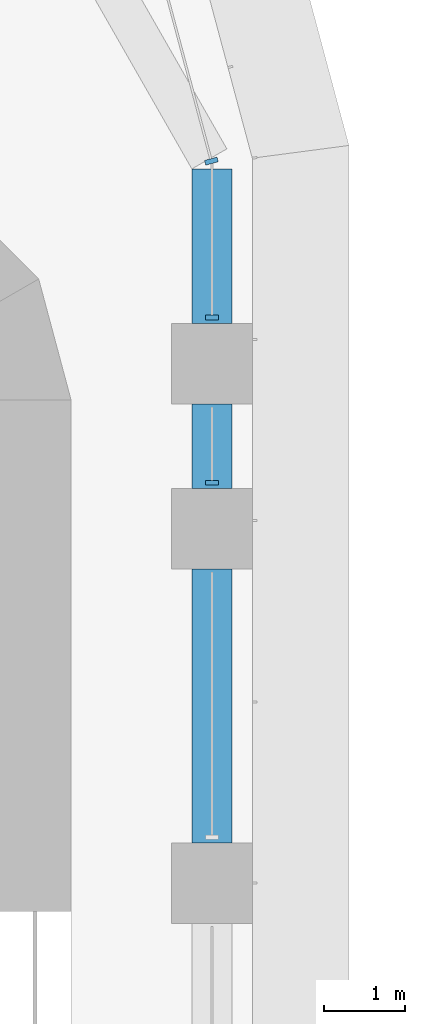
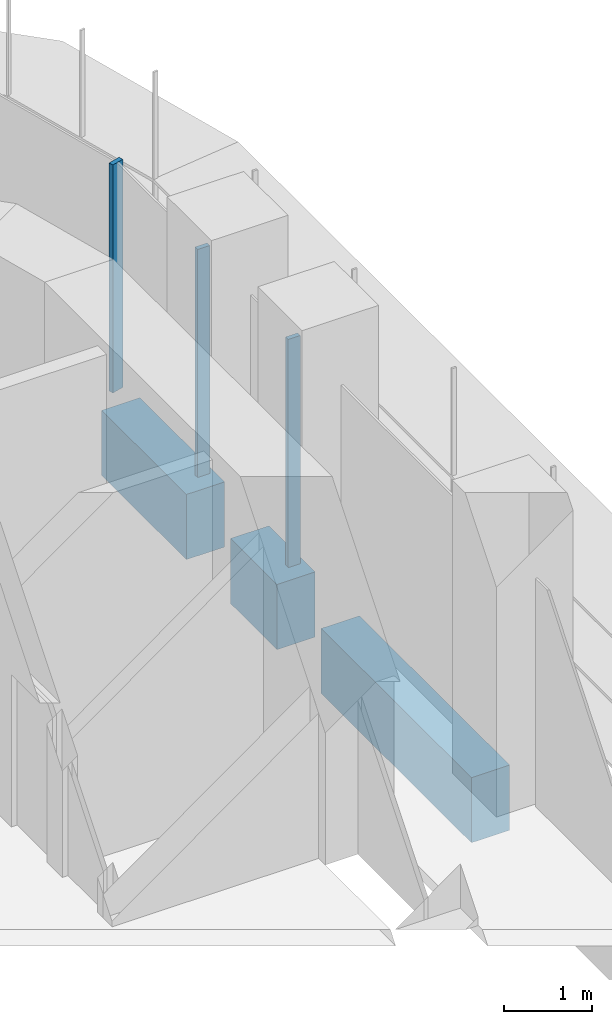
# One storey, part 10 of 23: 3 beams, 3 members, 2 elements without a shape of their own.
"""IFC4 building model written with IfcOpenShell, lengths in metres."""

from ifc_helpers import new_model, si_unit, direction, frame, origin, origin_2d, place, context, subcontext, project, spatial, polyline, rectangle, outline, extrude, source, transform, mapped, material, material_profile, profile_set, type_object, element, aggregate, save


model = new_model("IFC4")

# Units and contexts
model_context = context("Model", 3, precision=1e-05, world=origin(), true_north=direction((0.0, 1.0)))
body_context = subcontext(model_context, "Body", "Model", "MODEL_VIEW")
ifc_project = project(units=[si_unit("LENGTHUNIT", "METRE"), si_unit("AREAUNIT", "SQUARE_METRE"), si_unit("VOLUMEUNIT", "CUBIC_METRE"), si_unit("PLANEANGLEUNIT", "RADIAN"), si_unit("MASSUNIT", "GRAM", prefix="KILO")], contexts=[model_context])

# Site, building, storey
site_placement = place(None, origin())
site = spatial("IfcSite", under=ifc_project, at=site_placement, CompositionType="ELEMENT")
building_placement = place(site_placement, origin())
building = spatial("IfcBuilding", under=site, at=building_placement, Name="Zarbagh Exchange Tower", CompositionType="ELEMENT")
storey_placement = place(building_placement, frame((0.0, 0.0, 69.0)))
storey = spatial("IfcBuildingStorey", under=building, at=storey_placement, Name="L15", CompositionType="ELEMENT", Elevation=69.0)

# Beams
ifc_material_1 = material(Name="Concrete C60/75", Category="concrete")
ifc_material_profile = material_profile(ifc_material_1, rectangle(XDim=0.5, YDim=0.89990234375, at=origin_2d()), Name="RC spandrel beam 500 x 900 C60/75")
ifc_profile_set = profile_set([ifc_material_profile], Name="Concrete C60/75")
beam_type = type_object("IfcBeamType", Name="RC spandrel beam 500 x 900 C60/75", PredefinedType="SPANDREL", material=ifc_profile_set)
beam_1_placement = place(storey_placement, frame((6.25, 29.117919921875, -0.60009765625), z_axis=(0.0, -1.0, 0.0), x_axis=(1.0, 0.0, 0.0)))
element("IfcBeam", 1, at=beam_1_placement, inside=storey, type_object=beam_type, Name="RC spandrel beam", PredefinedType="SPANDREL", context=body_context, shape_type="SweptSolid", body=[
    extrude(rectangle(XDim=0.5, YDim=0.89990234375, at=origin_2d()), origin(), (0.0, 0.0, 1.0), 1.91796875),
])
beam_2_placement = place(storey_placement, frame((6.25, 26.199951171875, -0.60009765625), z_axis=(0.0, -1.0, 0.0), x_axis=(1.0, 0.0, 0.0)))
element("IfcBeam", 2, at=beam_2_placement, inside=storey, type_object=beam_type, Name="RC spandrel beam", PredefinedType="SPANDREL", context=body_context, shape_type="SweptSolid", body=[
    extrude(rectangle(XDim=0.5, YDim=0.89990234375, at=origin_2d()), origin(), (0.0, 0.0, 1.0), 1.050048828125),
])
beam_3_placement = place(storey_placement, frame((6.25, 24.14990234375, -0.60009765625), z_axis=(0.0, -1.0, 0.0), x_axis=(1.0, 0.0, 0.0)))
element("IfcBeam", 3, at=beam_3_placement, inside=storey, type_object=beam_type, Name="RC spandrel beam", PredefinedType="SPANDREL", context=body_context, shape_type="SweptSolid", body=[
    extrude(rectangle(XDim=0.5, YDim=0.89990234375, at=origin_2d()), origin(), (0.0, 0.0, 1.0), 3.39990234375),
])

# Curtain wall, members
ifc_material_2 = material(Name="Anodised aluminium frame and glazing", Category="aluminium")
curtain_wall_type = type_object("IfcCurtainWallType", Name="CWA Ribbon glazing, lower zones", PredefinedType="NOTDEFINED", material=ifc_material_2)
curtain_wall_1_placement = place(storey_placement, origin())
curtain_wall_1 = element("IfcCurtainWall", 4, at=curtain_wall_1_placement, inside=storey, type_object=curtain_wall_type, Name="CWA20 curtain wall", PredefinedType="NOTDEFINED")
ifc_material_3 = material(Name="Anodised aluminium frame", Category="aluminium")
member_type = type_object("IfcMemberType", Name="MUA Mullion, anodised aluminium frame", PredefinedType="MULLION", material=ifc_material_3)
shared_shape = source(origin(), body_context, "Body", "SweptSolid", [
    extrude(outline(polyline([(0.0, -0.080078125), (0.06005859375, -0.080078125), (0.06005859375, 0.080078125), (0.0, 0.080078125), (0.0, -0.080078125)])), origin(), (0.0, 0.0, 1.0), 3.14990234375),
])
placement = place(storey_placement, origin())
member_1 = element("IfcMember", 5, at=placement, type_object=member_type, Name="CWA20 mullion 4.1", PredefinedType="MULLION", context=body_context, shape_type="MappedRepresentation", body=[
    mapped(shared_shape, transform((6.25, 25.18994140625, 0.0), x_axis=(0.0, 1.0, 0.0), y_axis=(-1.0, 0.0, 0.0), z_axis=(0.0, 0.0, 1.0))),
])
member_2 = element("IfcMember", 6, at=placement, type_object=member_type, Name="CWA20 mullion 5.1", PredefinedType="MULLION", context=body_context, shape_type="MappedRepresentation", body=[
    mapped(shared_shape, transform((6.25, 27.239990234375, 0.0), x_axis=(0.0, 1.0, 0.0), y_axis=(-1.0, 0.0, 0.0), z_axis=(0.0, 0.0, 1.0))),
])
aggregate(curtain_wall_1, [member_1, member_2])

# Curtain wall, member
curtain_wall_2_placement = place(storey_placement, origin())
curtain_wall_2 = element("IfcCurtainWall", 7, at=curtain_wall_2_placement, inside=storey, type_object=curtain_wall_type, Name="CWA21 curtain wall", PredefinedType="NOTDEFINED")
member_3 = element("IfcMember", 8, at=placement, type_object=member_type, Name="CWA21 mullion 1.1", PredefinedType="MULLION", context=body_context, shape_type="MappedRepresentation", body=[
    mapped(shared_shape, transform((6.25, 29.18408203125, 0.0), x_axis=(-0.258824779902, 0.965924289636, 0.0), y_axis=(-0.965924289636, -0.258824779902, 0.0), z_axis=(0.0, 0.0, 1.0))),
])
aggregate(curtain_wall_2, [member_3])

save(model, "model.ifc")
